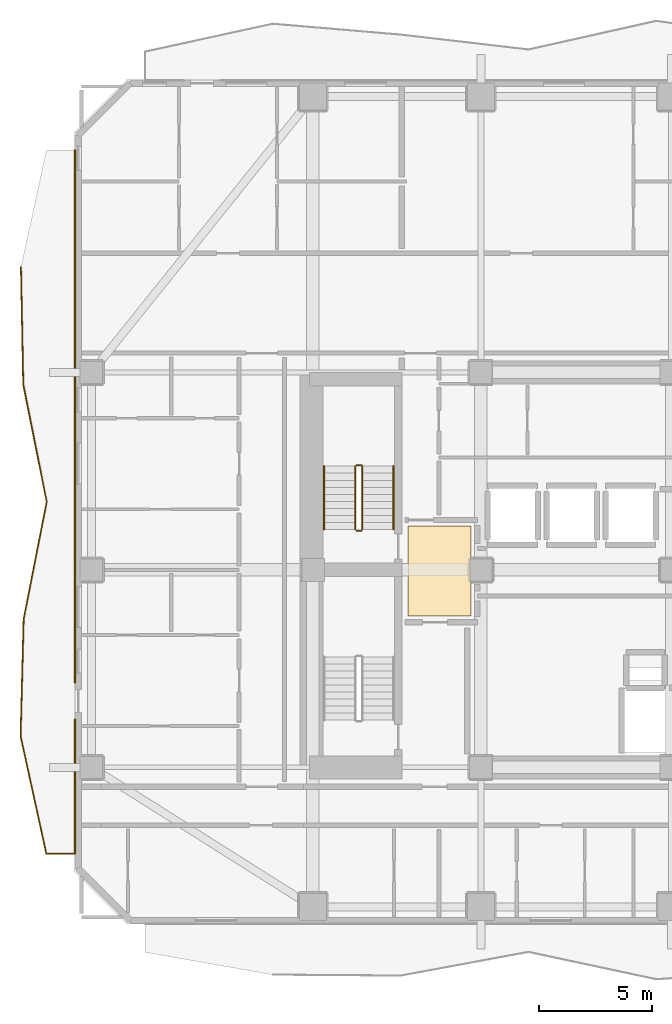
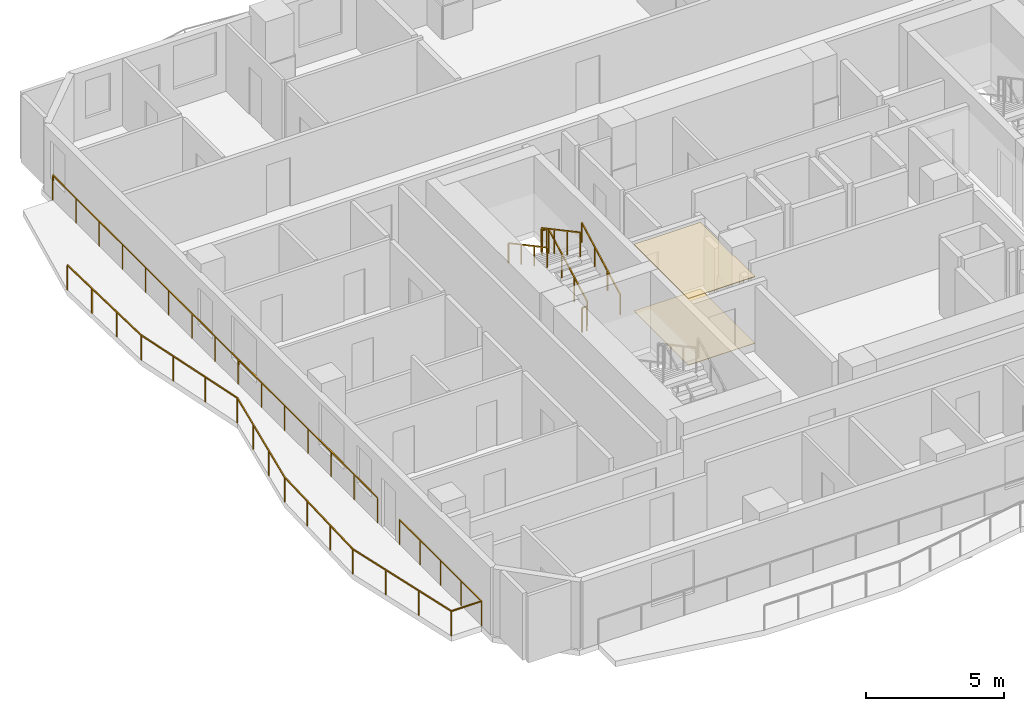
# One storey, part 9 of 11: 8 railings, 2 coverings.
"""IFC4 building model written with IfcOpenShell, lengths in metres."""

import ifcopenshell
import ifcopenshell.guid

model = None  # the IFC model being written
_history = None  # IfcOwnerHistory: only IFC2X3 demands one
_inside = {}  # id of a spatial element -> (the spatial element, [elements in it])
_under = {}  # id of a project, library or spatial element -> (it, [spatial elements below it])
_declared = {}  # id of a project -> (the project, [libraries it declares])
_typed = {}  # id of a type object -> (the type object, [elements of that type])
_made_of = {}  # id of a material, layer set ... -> (it, [elements and type objects made of it])


def new_model(schema):
    """Start an empty IFC model of exactly this schema.

    Asked for "IFC4X3", IfcOpenShell would pick the latest addendum, in which some entities
    have other attributes; the version numbers below select the first issue.
    IFC2X3 requires an IfcOwnerHistory on every rooted entity: one is made here for all.
    """
    global model, _history
    if schema == "IFC4X3":
        model = ifcopenshell.file(schema_version=(4, 3, 0, 0))
    else:
        model = ifcopenshell.file(schema=schema)
    _inside.clear()
    _under.clear()
    _declared.clear()
    _typed.clear()
    _made_of.clear()
    _history = None
    if model.schema == "IFC2X3":
        org = make("IfcOrganization", Name="unknown")
        user = make(
            "IfcPersonAndOrganization",
            ThePerson=make("IfcPerson", FamilyName="unknown"),
            TheOrganization=org,
        )
        app = make(
            "IfcApplication",
            ApplicationDeveloper=org,
            Version="unknown",
            ApplicationFullName="unknown",
            ApplicationIdentifier="unknown",
        )
        _history = make(
            "IfcOwnerHistory",
            OwningUser=user,
            OwningApplication=app,
            ChangeAction="ADDED",
            CreationDate=0,
        )
    return model


def make(cls, **values):
    """One entity of the class cls with the attributes given. An attribute that is None is left unset."""
    return model.create_entity(
        cls, **{name: value for name, value in values.items() if value is not None}
    )


def rooted(cls, **values):
    """An entity with a GlobalId (a new one), such as an element, a storey or a relation."""
    return make(cls, GlobalId=ifcopenshell.guid.new(), OwnerHistory=_history, **values)


def si_unit(unit_type, name, prefix=None):
    """IfcSIUnit, for example si_unit("LENGTHUNIT", "METRE", prefix="MILLI")."""
    return make("IfcSIUnit", UnitType=unit_type, Prefix=prefix, Name=name)


def assignment(units):
    """IfcUnitAssignment: the units of a project."""
    return None if units is None else make("IfcUnitAssignment", Units=units)


def point(xyz):
    """IfcCartesianPoint."""
    return None if xyz is None else make("IfcCartesianPoint", Coordinates=xyz)


def direction(xyz):
    """IfcDirection."""
    return None if xyz is None else make("IfcDirection", DirectionRatios=xyz)


def frame(location, z_axis=None, x_axis=None):
    """IfcAxis2Placement3D, a coordinate frame: its origin and axes. An axis left out is left unset."""
    return make(
        "IfcAxis2Placement3D",
        Location=point(location),
        Axis=direction(z_axis),
        RefDirection=direction(x_axis),
    )


def frame_2d(location, x_axis=None):
    """IfcAxis2Placement2D, a coordinate frame in the plane: its origin and x axis."""
    return make(
        "IfcAxis2Placement2D", Location=point(location), RefDirection=direction(x_axis)
    )


def origin():
    """The frame at (0, 0, 0) with its axes left unset."""
    return frame((0.0, 0.0, 0.0))


def origin_2d():
    """The frame at (0, 0) in the plane with its x axis left unset."""
    return frame_2d((0.0, 0.0))


def place(relative_to, where):
    """IfcLocalPlacement: puts the frame where relative to a parent placement (None: the world)."""
    return make(
        "IfcLocalPlacement", PlacementRelTo=relative_to, RelativePlacement=where
    )


def context(
    kind, dimensions, precision=None, world=None, true_north=None, identifier=None
):
    """IfcGeometricRepresentationContext, for example the 3D "Model" context."""
    return make(
        "IfcGeometricRepresentationContext",
        ContextIdentifier=identifier,
        ContextType=kind,
        CoordinateSpaceDimension=dimensions,
        Precision=precision,
        WorldCoordinateSystem=world,
        TrueNorth=true_north,
    )


def subcontext(parent, identifier, kind, view, scale=None):
    """IfcGeometricRepresentationSubContext, for example "Body" below "Model"."""
    return make(
        "IfcGeometricRepresentationSubContext",
        ContextIdentifier=identifier,
        ContextType=kind,
        ParentContext=parent,
        TargetScale=scale,
        TargetView=view,
    )


def project(units=None, contexts=None):
    """IfcProject with its units and contexts."""
    return rooted(
        "IfcProject",
        Name="project",
        RepresentationContexts=contexts,
        UnitsInContext=assignment(units),
    )


def spatial(cls, under=None, at=None, **own):
    """A site, building, storey or space (cls), placed at a placement, below another one or the project."""
    s = rooted(cls, ObjectPlacement=at, **own)
    if under is not None:
        _under.setdefault(under.id(), (under, []))[1].append(s)
    return s


def polyline(points):
    """IfcPolyline through the points."""
    return make("IfcPolyline", Points=[point(p) for p in points])


def profile(cls, at=None, kind="AREA", **sizes):
    """A parametric profile (cls). Its sizes go by their IFC names, for example OverallWidth=200.0."""
    return make(cls, ProfileType=kind, Position=at, **sizes)


def rectangle(**sizes):
    """IfcRectangleProfileDef."""
    return profile("IfcRectangleProfileDef", **sizes)


def outline(outer, holes=None, kind="AREA"):
    """IfcArbitraryClosedProfileDef: a profile drawn as a closed curve; with holes, ...WithVoids."""
    if holes is None:
        return make("IfcArbitraryClosedProfileDef", ProfileType=kind, OuterCurve=outer)
    return make(
        "IfcArbitraryProfileDefWithVoids",
        ProfileType=kind,
        OuterCurve=outer,
        InnerCurves=holes,
    )


def extrude(swept, where, along, depth):
    """IfcExtrudedAreaSolid: the profile swept, set in the frame where, extruded along a direction by depth."""
    return make(
        "IfcExtrudedAreaSolid",
        SweptArea=swept,
        Position=where,
        ExtrudedDirection=direction(along),
        Depth=depth,
    )


def shape(context_of_items, identifier, shape_type, items):
    """IfcShapeRepresentation: the items that make up one representation, for example the "Body"."""
    return make(
        "IfcShapeRepresentation",
        ContextOfItems=context_of_items,
        RepresentationIdentifier=identifier,
        RepresentationType=shape_type,
        Items=items,
    )


def material(Name=None, Category=None):
    """IfcMaterial."""
    return make("IfcMaterial", Name=Name, Category=Category)


def layer(
    of_material, thickness, ventilated=None, Name=None, Category=None, Priority=None
):
    """IfcMaterialLayer: one layer of a wall or slab, of a material (None: an air gap)."""
    return make(
        "IfcMaterialLayer",
        Material=of_material,
        LayerThickness=thickness,
        IsVentilated=ventilated,
        Name=Name,
        Category=Category,
        Priority=Priority,
    )


def layer_set(layers, Name=None):
    """IfcMaterialLayerSet."""
    return make("IfcMaterialLayerSet", MaterialLayers=layers, LayerSetName=Name)


def made_of(thing, what):
    """Note that an element or type object is made of a material, layer set ...; save() writes the relation."""
    if what is not None:
        _made_of.setdefault(what.id(), (what, []))[1].append(thing)
    return thing


def type_object(cls, material=None, **own):
    """A type object (cls), such as IfcWallType, which elements share."""
    return made_of(rooted(cls, **own), material)


def element(
    cls,
    number,
    at=None,
    inside=None,
    cuts=None,
    type_object=None,
    material=None,
    context=None,
    identifier="Body",
    shape_type=None,
    held_by="IfcProductDefinitionShape",
    body=None,
    shapes=None,
    **own,
):
    """One element of the class cls, such as IfcWall. Its Tag is "e" and its number.

    at: its placement. inside: the storey or other place that contains it. cuts: it is an
    opening in that element (IfcRelVoidsElement). A single representation is given by context,
    identifier, shape_type and body (its items); several are given by shapes. held_by: the class
    of the entity that holds the representations. save() writes the other relations.
    """
    e = rooted(cls, Tag="e%d" % number, ObjectPlacement=at, **own)
    if body is not None:
        shapes = [shape(context, identifier, shape_type, body)]
    if shapes is not None:
        e.Representation = make(held_by, Representations=shapes)
    if inside is not None:
        _inside.setdefault(inside.id(), (inside, []))[1].append(e)
    if cuts is not None:
        rooted(
            "IfcRelVoidsElement", RelatingBuildingElement=cuts, RelatedOpeningElement=e
        )
    if type_object is not None:
        _typed.setdefault(type_object.id(), (type_object, []))[1].append(e)
    return made_of(e, material)


def aggregate(whole, parts):
    """IfcRelAggregates: a whole, such as a stair, and the parts it consists of."""
    return rooted("IfcRelAggregates", RelatingObject=whole, RelatedObjects=parts)


def save(model, path):
    """Write the relations noted so far, then the file.

    IfcRelAggregates (storeys below a building ...), IfcRelContainedInSpatialStructure (elements
    in a storey), IfcRelDefinesByType, IfcRelAssociatesMaterial and IfcRelDeclares: one each for
    every whole, place, type object, material and project.
    """
    for whole, parts in _under.values():
        aggregate(whole, parts)
    for where, things in _inside.values():
        rooted(
            "IfcRelContainedInSpatialStructure",
            RelatedElements=things,
            RelatingStructure=where,
        )
    for kind, things in _typed.values():
        rooted("IfcRelDefinesByType", RelatedObjects=things, RelatingType=kind)
    for what, things in _made_of.values():
        rooted("IfcRelAssociatesMaterial", RelatedObjects=things, RelatingMaterial=what)
    for by, libraries in _declared.values():
        rooted("IfcRelDeclares", RelatingContext=by, RelatedDefinitions=libraries)
    model.write(path)


model = new_model("IFC4")

# Units and contexts
model_context = context("Model", 3, precision=1e-05, world=origin(), true_north=direction((0.0, 1.0)))
body_context = subcontext(model_context, "Body", "Model", "MODEL_VIEW")
ifc_project = project(units=[si_unit("LENGTHUNIT", "METRE"), si_unit("AREAUNIT", "SQUARE_METRE"), si_unit("VOLUMEUNIT", "CUBIC_METRE"), si_unit("PLANEANGLEUNIT", "RADIAN"), si_unit("MASSUNIT", "GRAM", prefix="KILO")], contexts=[model_context])

# Site, building, storey
site_placement = place(None, origin())
site = spatial("IfcSite", under=ifc_project, at=site_placement, CompositionType="ELEMENT")
building_placement = place(site_placement, origin())
building = spatial("IfcBuilding", under=site, at=building_placement, Name="Solanera Arch Residences", CompositionType="ELEMENT")
storey_placement = place(building_placement, frame((0.0, 0.0, 169.159912109375)))
storey = spatial("IfcBuildingStorey", under=building, at=storey_placement, Name="L49", CompositionType="ELEMENT", Elevation=169.159912109375)

# Railings
ifc_material_1 = material(Name="Steel S355 (ASTM A992 / A572 Grade 50)", Category="steel")
railing_type_1 = type_object("IfcRailingType", Name="Balustrade Railing BL-1100", PredefinedType="BALUSTRADE", material=ifc_material_1)
railing_1_placement = place(storey_placement, frame((0.534912109375, 44.032958984375, 0.0)))
element("IfcRailing", 1, at=railing_1_placement, inside=storey, type_object=railing_type_1, Name="L49 W Balcony Balustrade 1", PredefinedType="BALUSTRADE", context=body_context, shape_type="SweptSolid", body=[
    extrude(rectangle(XDim=0.048095703125, YDim=0.048095703125, at=origin_2d()), frame((0.0, 0.0, 1.09619140625), z_axis=(0.019939324338, -0.99980119191, 0.0), x_axis=(0.99980119191, 0.019939324338, 0.0)), (0.0, 0.0, 1.0), 5.1669921875),
    extrude(rectangle(XDim=0.048095703125, YDim=0.048095703125, at=origin_2d()), frame((0.10302734375, -5.166015625, 1.09619140625), z_axis=(0.195857722024, -0.980632322904, 0.0), x_axis=(0.980632322904, 0.195857722024, 0.0)), (0.0, 0.0, 1.0), 5.26904296875),
    extrude(rectangle(XDim=0.048095703125, YDim=0.048095703125, at=origin_2d()), frame((1.135009765625, -10.3330078125, 1.09619140625), z_axis=(-0.192914295772, -0.981215610601, 0.0), x_axis=(0.981215610601, -0.192914295772, 0.0)), (0.0, 0.0, 1.0), 5.265869140625),
    extrude(rectangle(XDim=0.048095703125, YDim=0.048095703125, at=origin_2d()), frame((0.119140625, -15.5, 1.09619140625), z_axis=(-0.025936451461, -0.999663593658, 0.0), x_axis=(0.999663593658, -0.025936451461, 0.0)), (0.0, 0.0, 1.0), 5.167724609375),
    extrude(rectangle(XDim=0.048095703125, YDim=0.048095703125, at=origin_2d()), frame((-0.014892578125, -20.666015625, 1.09619140625), z_axis=(0.214374003779, -0.976751650372, 0.0), x_axis=(0.976751650372, 0.214374003779, 0.0)), (0.0, 0.0, 1.0), 5.2900390625),
    extrude(rectangle(XDim=0.048095703125, YDim=0.048095703125, at=origin_2d()), frame((1.119140625, -25.8330078125, 1.09619140625), z_axis=(1.0, 0.0, 0.0), x_axis=(0.0, 1.0, 0.0)), (0.0, 0.0, 1.0), 1.265869140625),
    extrude(rectangle(XDim=0.048095703125, YDim=0.048095703125, at=origin_2d()), frame((2.385009765625, -25.8330078125, 1.09619140625), z_axis=(0.0, 1.0, 0.0), x_axis=(-1.0, 0.0, 0.0)), (0.0, 0.0, 1.0), 5.926025390625),
    extrude(rectangle(XDim=0.0419921875, YDim=0.0419921875, at=origin_2d()), origin(), (0.0, 0.0, 1.0), 1.072021484375),
    extrude(rectangle(XDim=0.0419921875, YDim=0.0419921875, at=origin_2d()), frame((0.034423828125, -1.721923828125, 0.0)), (0.0, 0.0, 1.0), 1.072021484375),
    extrude(rectangle(XDim=0.0419921875, YDim=0.0419921875, at=origin_2d()), frame((0.068603515625, -3.444091796875, 0.0)), (0.0, 0.0, 1.0), 1.072021484375),
    extrude(rectangle(XDim=0.0419921875, YDim=0.0419921875, at=origin_2d()), frame((0.10302734375, -5.166015625, 0.0)), (0.0, 0.0, 1.0), 1.072021484375),
    extrude(rectangle(XDim=0.0419921875, YDim=0.0419921875, at=origin_2d()), frame((0.447021484375, -6.888427734375, 0.0)), (0.0, 0.0, 1.0), 1.072021484375),
    extrude(rectangle(XDim=0.0419921875, YDim=0.0419921875, at=origin_2d()), frame((0.791015625, -8.610595703125, 0.0)), (0.0, 0.0, 1.0), 1.072021484375),
    extrude(rectangle(XDim=0.0419921875, YDim=0.0419921875, at=origin_2d()), frame((1.135009765625, -10.3330078125, 0.0)), (0.0, 0.0, 1.0), 1.072021484375),
    extrude(rectangle(XDim=0.0419921875, YDim=0.0419921875, at=origin_2d()), frame((0.79638671875, -12.055419921875, 0.0)), (0.0, 0.0, 1.0), 1.072021484375),
    extrude(rectangle(XDim=0.0419921875, YDim=0.0419921875, at=origin_2d()), frame((0.457763671875, -13.777587890625, 0.0)), (0.0, 0.0, 1.0), 1.072021484375),
    extrude(rectangle(XDim=0.0419921875, YDim=0.0419921875, at=origin_2d()), frame((0.119140625, -15.5, 0.0)), (0.0, 0.0, 1.0), 1.072021484375),
    extrude(rectangle(XDim=0.0419921875, YDim=0.0419921875, at=origin_2d()), frame((0.074462890625, -17.221923828125, 0.0)), (0.0, 0.0, 1.0), 1.072021484375),
    extrude(rectangle(XDim=0.0419921875, YDim=0.0419921875, at=origin_2d()), frame((0.02978515625, -18.944091796875, 0.0)), (0.0, 0.0, 1.0), 1.072021484375),
    extrude(rectangle(XDim=0.0419921875, YDim=0.0419921875, at=origin_2d()), frame((-0.014892578125, -20.666015625, 0.0)), (0.0, 0.0, 1.0), 1.072021484375),
    extrude(rectangle(XDim=0.0419921875, YDim=0.0419921875, at=origin_2d()), frame((0.363037109375, -22.388427734375, 0.0)), (0.0, 0.0, 1.0), 1.072021484375),
    extrude(rectangle(XDim=0.0419921875, YDim=0.0419921875, at=origin_2d()), frame((0.7412109375, -24.110595703125, 0.0)), (0.0, 0.0, 1.0), 1.072021484375),
    extrude(rectangle(XDim=0.0419921875, YDim=0.0419921875, at=origin_2d()), frame((1.119140625, -25.8330078125, 0.0)), (0.0, 0.0, 1.0), 1.072021484375),
    extrude(rectangle(XDim=0.0419921875, YDim=0.0419921875, at=origin_2d()), frame((2.385009765625, -25.8330078125, 0.0)), (0.0, 0.0, 1.0), 1.072021484375),
    extrude(rectangle(XDim=0.0419921875, YDim=0.0419921875, at=origin_2d()), frame((2.385009765625, -24.3515625, 0.0)), (0.0, 0.0, 1.0), 1.072021484375),
    extrude(rectangle(XDim=0.0419921875, YDim=0.0419921875, at=origin_2d()), frame((2.385009765625, -22.8701171875, 0.0)), (0.0, 0.0, 1.0), 1.072021484375),
    extrude(rectangle(XDim=0.0419921875, YDim=0.0419921875, at=origin_2d()), frame((2.385009765625, -21.388427734375, 0.0)), (0.0, 0.0, 1.0), 1.072021484375),
    extrude(rectangle(XDim=0.0419921875, YDim=0.0419921875, at=origin_2d()), frame((2.385009765625, -19.906982421875, 0.0)), (0.0, 0.0, 1.0), 1.072021484375),
])
railing_2_placement = place(storey_placement, frame((2.919921875, 25.72607421875, 0.0)))
element("IfcRailing", 2, at=railing_2_placement, inside=storey, type_object=railing_type_1, Name="L49 W Balcony Balustrade 2", PredefinedType="BALUSTRADE", context=body_context, shape_type="SweptSolid", body=[
    extrude(rectangle(XDim=0.048095703125, YDim=0.048095703125, at=origin_2d()), frame((0.0, 0.0, 1.09619140625), z_axis=(0.0, 1.0, 0.0), x_axis=(-1.0, 0.0, 0.0)), (0.0, 0.0, 1.0), 23.473876953125),
    extrude(rectangle(XDim=0.0419921875, YDim=0.0419921875, at=origin_2d()), origin(), (0.0, 0.0, 1.0), 1.072021484375),
    extrude(rectangle(XDim=0.0419921875, YDim=0.0419921875, at=origin_2d()), frame((0.0, 1.6767578125, 0.0)), (0.0, 0.0, 1.0), 1.072021484375),
    extrude(rectangle(XDim=0.0419921875, YDim=0.0419921875, at=origin_2d()), frame((0.0, 3.353515625, 0.0)), (0.0, 0.0, 1.0), 1.072021484375),
    extrude(rectangle(XDim=0.0419921875, YDim=0.0419921875, at=origin_2d()), frame((0.0, 5.030029296875, 0.0)), (0.0, 0.0, 1.0), 1.072021484375),
    extrude(rectangle(XDim=0.0419921875, YDim=0.0419921875, at=origin_2d()), frame((0.0, 6.706787109375, 0.0)), (0.0, 0.0, 1.0), 1.072021484375),
    extrude(rectangle(XDim=0.0419921875, YDim=0.0419921875, at=origin_2d()), frame((0.0, 8.383544921875, 0.0)), (0.0, 0.0, 1.0), 1.072021484375),
    extrude(rectangle(XDim=0.0419921875, YDim=0.0419921875, at=origin_2d()), frame((0.0, 10.060302734375, 0.0)), (0.0, 0.0, 1.0), 1.072021484375),
    extrude(rectangle(XDim=0.0419921875, YDim=0.0419921875, at=origin_2d()), frame((0.0, 11.73681640625, 0.0)), (0.0, 0.0, 1.0), 1.072021484375),
    extrude(rectangle(XDim=0.0419921875, YDim=0.0419921875, at=origin_2d()), frame((0.0, 13.41357421875, 0.0)), (0.0, 0.0, 1.0), 1.072021484375),
    extrude(rectangle(XDim=0.0419921875, YDim=0.0419921875, at=origin_2d()), frame((0.0, 15.09033203125, 0.0)), (0.0, 0.0, 1.0), 1.072021484375),
    extrude(rectangle(XDim=0.0419921875, YDim=0.0419921875, at=origin_2d()), frame((0.0, 16.76708984375, 0.0)), (0.0, 0.0, 1.0), 1.072021484375),
    extrude(rectangle(XDim=0.0419921875, YDim=0.0419921875, at=origin_2d()), frame((0.0, 18.44384765625, 0.0)), (0.0, 0.0, 1.0), 1.072021484375),
    extrude(rectangle(XDim=0.0419921875, YDim=0.0419921875, at=origin_2d()), frame((0.0, 20.120361328125, 0.0)), (0.0, 0.0, 1.0), 1.072021484375),
    extrude(rectangle(XDim=0.0419921875, YDim=0.0419921875, at=origin_2d()), frame((0.0, 21.797119140625, 0.0)), (0.0, 0.0, 1.0), 1.072021484375),
    extrude(rectangle(XDim=0.0419921875, YDim=0.0419921875, at=origin_2d()), frame((0.0, 23.473876953125, 0.0)), (0.0, 0.0, 1.0), 1.072021484375),
])

# Covering
ifc_material_2 = material(Name="Porcelain Acoustic Floor Tile", Category="ceramic")
ifc_layer_1 = layer(ifc_material_2, 0.02001953125)
ifc_layer_set_1 = layer_set([ifc_layer_1], Name="Porcelain Acoustic Floor Tile")
covering_type_1 = type_object("IfcCoveringType", Name="Porcelain Acoustic Floor Finish FLR-20", PredefinedType="FLOORING", material=ifc_layer_set_1)
covering_1_placement = place(storey_placement, origin())
element("IfcCovering", 3, at=covering_1_placement, inside=storey, type_object=covering_type_1, Name="L49-FFL-W Porcelain Floor Finish", PredefinedType="FLOORING", context=body_context, shape_type="SweptSolid", body=[
    extrude(outline(polyline([(20.375, 28.675048828125), (17.594970703125, 28.675048828125), (17.594970703125, 32.625), (20.375, 32.625), (20.375, 28.675048828125)])), origin(), (0.0, 0.0, 1.0), 0.02001953125),
])

# Railings
ifc_material_3 = material(Name="Steel S355 (ASTM A992 / A572 Grade 50)", Category="steel")
railing_type_2 = type_object("IfcRailingType", Name="Stair Guardrail GR-1100", PredefinedType="GUARDRAIL", material=ifc_material_3)
railing_3_placement = place(storey_placement, frame((15.570068359375, 32.47998046875, 0.151123046875)))
element("IfcRailing", 4, at=railing_3_placement, inside=storey, type_object=railing_type_2, Name="L49 ST-T1 stair guard 1", PredefinedType="GUARDRAIL", context=body_context, shape_type="SweptSolid", body=[
    extrude(rectangle(XDim=0.048095703125, YDim=0.048095703125, at=origin_2d()), frame((0.0, 0.0, 1.076171875), z_axis=(0.0, 0.881580869306, 0.472033018838), x_axis=(-1.0, 0.0, 0.0)), (0.0, 0.0, 1.0), 3.164794921875),
    extrude(rectangle(XDim=0.0419921875, YDim=0.0419921875, at=origin_2d()), origin(), (0.0, 0.0, 1.0), 1.052001953125),
    extrude(rectangle(XDim=0.0419921875, YDim=0.0419921875, at=origin_2d()), frame((0.0, 0.929931640625, 0.498046875)), (0.0, 0.0, 1.0), 1.052001953125),
    extrude(rectangle(XDim=0.0419921875, YDim=0.0419921875, at=origin_2d()), frame((0.0, 1.860107421875, 0.995849609375)), (0.0, 0.0, 1.0), 1.052001953125),
    extrude(rectangle(XDim=0.0419921875, YDim=0.0419921875, at=origin_2d()), frame((0.0, 2.7900390625, 1.493896484375)), (0.0, 0.0, 1.0), 1.052001953125),
])
railing_4_placement = place(storey_placement, frame((15.52001953125, 35.320068359375, 1.64501953125)))
element("IfcRailing", 5, at=railing_4_placement, inside=storey, type_object=railing_type_2, Name="L49 ST-T1 stair guard 2", PredefinedType="GUARDRAIL", context=body_context, shape_type="SweptSolid", body=[
    extrude(rectangle(XDim=0.048095703125, YDim=0.048095703125, at=origin_2d()), frame((0.0, 0.0, 1.076171875), z_axis=(-1.0, 0.0, 0.0), x_axis=(0.0, -1.0, 0.0)), (0.0, 0.0, 1.0), 0.199951171875),
    extrude(rectangle(XDim=0.0419921875, YDim=0.0419921875, at=origin_2d()), origin(), (0.0, 0.0, 1.0), 1.052001953125),
    extrude(rectangle(XDim=0.0419921875, YDim=0.0419921875, at=origin_2d()), frame((-0.199951171875, 0.0, 0.0)), (0.0, 0.0, 1.0), 1.052001953125),
])
railing_5_placement = place(storey_placement, frame((15.27001953125, 35.27001953125, 1.81103515625)))
element("IfcRailing", 6, at=railing_5_placement, inside=storey, type_object=railing_type_2, Name="L49 ST-T1 stair guard 3", PredefinedType="GUARDRAIL", context=body_context, shape_type="SweptSolid", body=[
    extrude(rectangle(XDim=0.048095703125, YDim=0.048095703125, at=origin_2d()), frame((0.0, 0.0, 1.076171875), z_axis=(0.0, -0.881548766853, 0.472092969298), x_axis=(1.0, 0.0, 0.0)), (0.0, 0.0, 1.0), 3.1650390625),
    extrude(rectangle(XDim=0.0419921875, YDim=0.0419921875, at=origin_2d()), origin(), (0.0, 0.0, 1.0), 1.052001953125),
    extrude(rectangle(XDim=0.0419921875, YDim=0.0419921875, at=origin_2d()), frame((0.0, -0.929931640625, 0.498046875)), (0.0, 0.0, 1.0), 1.052001953125),
    extrude(rectangle(XDim=0.0419921875, YDim=0.0419921875, at=origin_2d()), frame((0.0, -1.860107421875, 0.99609375)), (0.0, 0.0, 1.0), 1.052001953125),
    extrude(rectangle(XDim=0.0419921875, YDim=0.0419921875, at=origin_2d()), frame((0.0, -2.7900390625, 1.494140625)), (0.0, 0.0, 1.0), 1.052001953125),
])
railing_6_placement = place(storey_placement, frame((15.52001953125, 32.429931640625, -0.014892578125)))
element("IfcRailing", 7, at=railing_6_placement, inside=storey, type_object=railing_type_2, Name="L49 ST-T1 stair guard 4", PredefinedType="GUARDRAIL", context=body_context, shape_type="SweptSolid", body=[
    extrude(rectangle(XDim=0.048095703125, YDim=0.048095703125, at=origin_2d()), frame((0.0, 0.0, 1.076171875), z_axis=(-1.0, 0.0, 0.0), x_axis=(0.0, -1.0, 0.0)), (0.0, 0.0, 1.0), 0.199951171875),
    extrude(rectangle(XDim=0.0419921875, YDim=0.0419921875, at=origin_2d()), origin(), (0.0, 0.0, 1.0), 1.052001953125),
    extrude(rectangle(XDim=0.0419921875, YDim=0.0419921875, at=origin_2d()), frame((-0.199951171875, 0.0, 0.0)), (0.0, 0.0, 1.0), 1.052001953125),
])
ifc_material_4 = material(Name="Steel S355 (ASTM A992 / A572 Grade 50)", Category="steel")
railing_type_3 = type_object("IfcRailingType", Name="Stair Wall Handrail HR-920", PredefinedType="HANDRAIL", material=ifc_material_4)
railing_7_placement = place(storey_placement, frame((16.949951171875, 32.47998046875, 0.166015625)))
element("IfcRailing", 8, at=railing_7_placement, inside=storey, type_object=railing_type_3, Name="L49 ST-T1 stair handrail 1", PredefinedType="HANDRAIL", context=body_context, shape_type="SweptSolid", body=[
    extrude(rectangle(XDim=0.048095703125, YDim=0.048095703125, at=origin_2d()), frame((0.0, 0.0, 0.8759765625), z_axis=(0.0, 0.881548766853, 0.472092969298), x_axis=(-1.0, 0.0, 0.0)), (0.0, 0.0, 1.0), 3.1650390625),
    extrude(rectangle(XDim=0.0419921875, YDim=0.0419921875, at=origin_2d()), origin(), (0.0, 0.0, 1.0), 0.851806640625),
    extrude(rectangle(XDim=0.0419921875, YDim=0.0419921875, at=origin_2d()), frame((0.0, 0.929931640625, 0.498046875)), (0.0, 0.0, 1.0), 0.851806640625),
    extrude(rectangle(XDim=0.0419921875, YDim=0.0419921875, at=origin_2d()), frame((0.0, 1.860107421875, 0.99609375)), (0.0, 0.0, 1.0), 0.851806640625),
    extrude(rectangle(XDim=0.0419921875, YDim=0.0419921875, at=origin_2d()), frame((0.0, 2.7900390625, 1.494140625)), (0.0, 0.0, 1.0), 0.851806640625),
])
railing_8_placement = place(storey_placement, frame((13.889892578125, 35.27001953125, 1.826171875)))
element("IfcRailing", 9, at=railing_8_placement, inside=storey, type_object=railing_type_3, Name="L49 ST-T1 stair handrail 2", PredefinedType="HANDRAIL", context=body_context, shape_type="SweptSolid", body=[
    extrude(rectangle(XDim=0.048095703125, YDim=0.048095703125, at=origin_2d()), frame((0.0, 0.0, 0.8759765625), z_axis=(0.0, -0.881580869306, 0.472033018838), x_axis=(1.0, 0.0, 0.0)), (0.0, 0.0, 1.0), 3.164794921875),
    extrude(rectangle(XDim=0.0419921875, YDim=0.0419921875, at=origin_2d()), origin(), (0.0, 0.0, 1.0), 0.851806640625),
    extrude(rectangle(XDim=0.0419921875, YDim=0.0419921875, at=origin_2d()), frame((0.0, -0.929931640625, 0.498046875)), (0.0, 0.0, 1.0), 0.851806640625),
    extrude(rectangle(XDim=0.0419921875, YDim=0.0419921875, at=origin_2d()), frame((0.0, -1.860107421875, 0.995849609375)), (0.0, 0.0, 1.0), 0.851806640625),
    extrude(rectangle(XDim=0.0419921875, YDim=0.0419921875, at=origin_2d()), frame((0.0, -2.7900390625, 1.493896484375)), (0.0, 0.0, 1.0), 0.851806640625),
])

# Covering
ifc_material_5 = material(Name="Mineral Fibre Acoustic Ceiling Board", Category="gypsum")
ifc_layer_2 = layer(ifc_material_5, 0.02490234375)
ifc_layer_set_2 = layer_set([ifc_layer_2], Name="Mineral Fibre Acoustic Ceiling Board")
covering_type_2 = type_object("IfcCoveringType", Name="Suspended Acoustic Ceiling Board CLG-25", PredefinedType="CEILING", material=ifc_layer_set_2)
covering_2_placement = place(storey_placement, frame((0.0, 0.0, 2.93505859375)))
element("IfcCovering", 10, at=covering_2_placement, inside=storey, type_object=covering_type_2, Name="L49-FFL-W Acoustic Ceiling", PredefinedType="CEILING", context=body_context, shape_type="SweptSolid", body=[
    extrude(outline(polyline([(20.375, 28.675048828125), (17.594970703125, 28.675048828125), (17.594970703125, 32.625), (20.375, 32.625), (20.375, 28.675048828125)])), origin(), (0.0, 0.0, 1.0), 0.025146484375),
])

save(model, "model.ifc")
